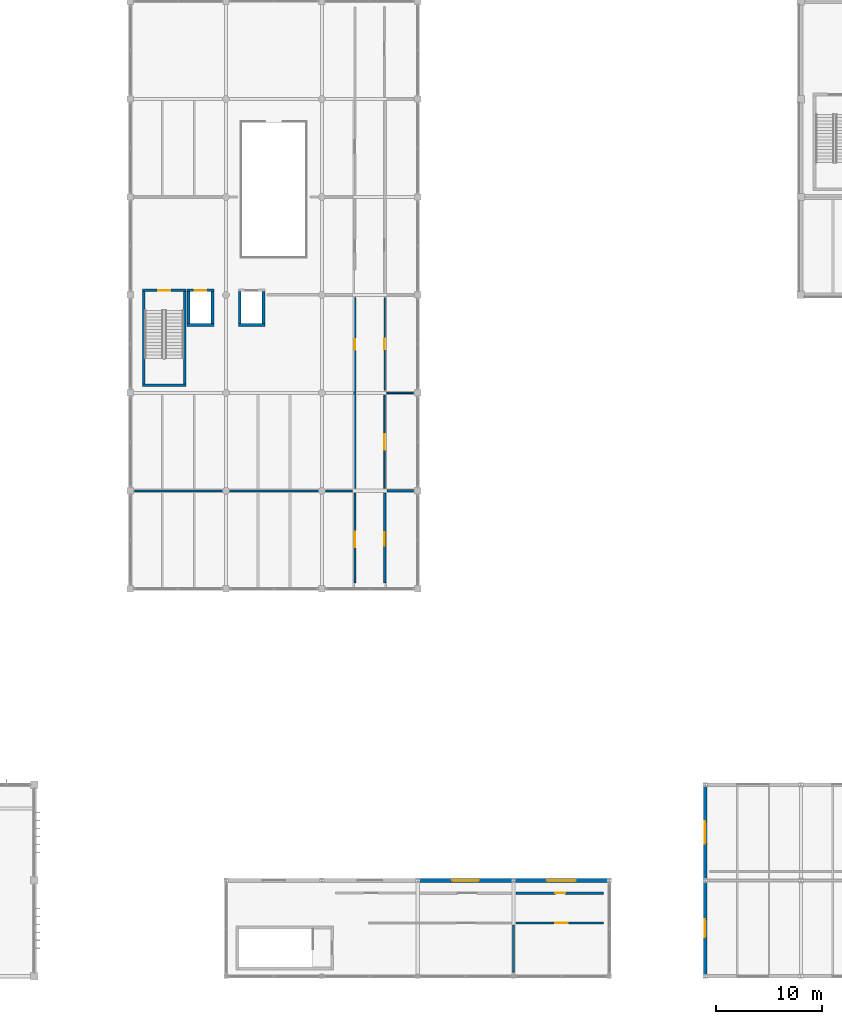
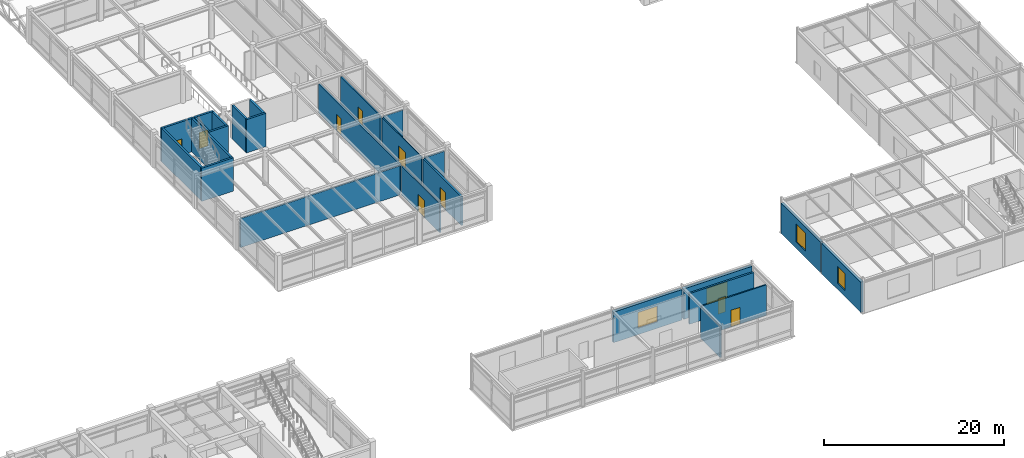
# One storey, part 47 of 61: 26 walls, 9 doors, 4 windows, 13 openings.
"""IFC4 building model written with IfcOpenShell, lengths in metres."""

import ifcopenshell
import ifcopenshell.guid

model = None  # the IFC model being written
_history = None  # IfcOwnerHistory: only IFC2X3 demands one
_inside = {}  # id of a spatial element -> (the spatial element, [elements in it])
_under = {}  # id of a project, library or spatial element -> (it, [spatial elements below it])
_declared = {}  # id of a project -> (the project, [libraries it declares])
_typed = {}  # id of a type object -> (the type object, [elements of that type])
_made_of = {}  # id of a material, layer set ... -> (it, [elements and type objects made of it])


def new_model(schema):
    """Start an empty IFC model of exactly this schema.

    Asked for "IFC4X3", IfcOpenShell would pick the latest addendum, in which some entities
    have other attributes; the version numbers below select the first issue.
    IFC2X3 requires an IfcOwnerHistory on every rooted entity: one is made here for all.
    """
    global model, _history
    if schema == "IFC4X3":
        model = ifcopenshell.file(schema_version=(4, 3, 0, 0))
    else:
        model = ifcopenshell.file(schema=schema)
    _inside.clear()
    _under.clear()
    _declared.clear()
    _typed.clear()
    _made_of.clear()
    _history = None
    if model.schema == "IFC2X3":
        org = make("IfcOrganization", Name="unknown")
        user = make(
            "IfcPersonAndOrganization",
            ThePerson=make("IfcPerson", FamilyName="unknown"),
            TheOrganization=org,
        )
        app = make(
            "IfcApplication",
            ApplicationDeveloper=org,
            Version="unknown",
            ApplicationFullName="unknown",
            ApplicationIdentifier="unknown",
        )
        _history = make(
            "IfcOwnerHistory",
            OwningUser=user,
            OwningApplication=app,
            ChangeAction="ADDED",
            CreationDate=0,
        )
    return model


def make(cls, **values):
    """One entity of the class cls with the attributes given. An attribute that is None is left unset."""
    return model.create_entity(
        cls, **{name: value for name, value in values.items() if value is not None}
    )


def rooted(cls, **values):
    """An entity with a GlobalId (a new one), such as an element, a storey or a relation."""
    return make(cls, GlobalId=ifcopenshell.guid.new(), OwnerHistory=_history, **values)


def si_unit(unit_type, name, prefix=None):
    """IfcSIUnit, for example si_unit("LENGTHUNIT", "METRE", prefix="MILLI")."""
    return make("IfcSIUnit", UnitType=unit_type, Prefix=prefix, Name=name)


def assignment(units):
    """IfcUnitAssignment: the units of a project."""
    return None if units is None else make("IfcUnitAssignment", Units=units)


def point(xyz):
    """IfcCartesianPoint."""
    return None if xyz is None else make("IfcCartesianPoint", Coordinates=xyz)


def direction(xyz):
    """IfcDirection."""
    return None if xyz is None else make("IfcDirection", DirectionRatios=xyz)


def frame(location, z_axis=None, x_axis=None):
    """IfcAxis2Placement3D, a coordinate frame: its origin and axes. An axis left out is left unset."""
    return make(
        "IfcAxis2Placement3D",
        Location=point(location),
        Axis=direction(z_axis),
        RefDirection=direction(x_axis),
    )


def frame_2d(location, x_axis=None):
    """IfcAxis2Placement2D, a coordinate frame in the plane: its origin and x axis."""
    return make(
        "IfcAxis2Placement2D", Location=point(location), RefDirection=direction(x_axis)
    )


def origin():
    """The frame at (0, 0, 0) with its axes left unset."""
    return frame((0.0, 0.0, 0.0))


def place(relative_to, where):
    """IfcLocalPlacement: puts the frame where relative to a parent placement (None: the world)."""
    return make(
        "IfcLocalPlacement", PlacementRelTo=relative_to, RelativePlacement=where
    )


def context(
    kind, dimensions, precision=None, world=None, true_north=None, identifier=None
):
    """IfcGeometricRepresentationContext, for example the 3D "Model" context."""
    return make(
        "IfcGeometricRepresentationContext",
        ContextIdentifier=identifier,
        ContextType=kind,
        CoordinateSpaceDimension=dimensions,
        Precision=precision,
        WorldCoordinateSystem=world,
        TrueNorth=true_north,
    )


def subcontext(parent, identifier, kind, view, scale=None):
    """IfcGeometricRepresentationSubContext, for example "Body" below "Model"."""
    return make(
        "IfcGeometricRepresentationSubContext",
        ContextIdentifier=identifier,
        ContextType=kind,
        ParentContext=parent,
        TargetScale=scale,
        TargetView=view,
    )


def project(units=None, contexts=None):
    """IfcProject with its units and contexts."""
    return rooted(
        "IfcProject",
        Name="project",
        RepresentationContexts=contexts,
        UnitsInContext=assignment(units),
    )


def spatial(cls, under=None, at=None, **own):
    """A site, building, storey or space (cls), placed at a placement, below another one or the project."""
    s = rooted(cls, ObjectPlacement=at, **own)
    if under is not None:
        _under.setdefault(under.id(), (under, []))[1].append(s)
    return s


def profile(cls, at=None, kind="AREA", **sizes):
    """A parametric profile (cls). Its sizes go by their IFC names, for example OverallWidth=200.0."""
    return make(cls, ProfileType=kind, Position=at, **sizes)


def rectangle(**sizes):
    """IfcRectangleProfileDef."""
    return profile("IfcRectangleProfileDef", **sizes)


def extrude(swept, where, along, depth):
    """IfcExtrudedAreaSolid: the profile swept, set in the frame where, extruded along a direction by depth."""
    return make(
        "IfcExtrudedAreaSolid",
        SweptArea=swept,
        Position=where,
        ExtrudedDirection=direction(along),
        Depth=depth,
    )


def shape(context_of_items, identifier, shape_type, items):
    """IfcShapeRepresentation: the items that make up one representation, for example the "Body"."""
    return make(
        "IfcShapeRepresentation",
        ContextOfItems=context_of_items,
        RepresentationIdentifier=identifier,
        RepresentationType=shape_type,
        Items=items,
    )


def material(Name=None, Category=None):
    """IfcMaterial."""
    return make("IfcMaterial", Name=Name, Category=Category)


def layer(
    of_material, thickness, ventilated=None, Name=None, Category=None, Priority=None
):
    """IfcMaterialLayer: one layer of a wall or slab, of a material (None: an air gap)."""
    return make(
        "IfcMaterialLayer",
        Material=of_material,
        LayerThickness=thickness,
        IsVentilated=ventilated,
        Name=Name,
        Category=Category,
        Priority=Priority,
    )


def layer_set(layers, Name=None):
    """IfcMaterialLayerSet."""
    return make("IfcMaterialLayerSet", MaterialLayers=layers, LayerSetName=Name)


def made_of(thing, what):
    """Note that an element or type object is made of a material, layer set ...; save() writes the relation."""
    if what is not None:
        _made_of.setdefault(what.id(), (what, []))[1].append(thing)
    return thing


def type_object(cls, material=None, **own):
    """A type object (cls), such as IfcWallType, which elements share."""
    return made_of(rooted(cls, **own), material)


def element(
    cls,
    number,
    at=None,
    inside=None,
    cuts=None,
    type_object=None,
    material=None,
    context=None,
    identifier="Body",
    shape_type=None,
    held_by="IfcProductDefinitionShape",
    body=None,
    shapes=None,
    **own,
):
    """One element of the class cls, such as IfcWall. Its Tag is "e" and its number.

    at: its placement. inside: the storey or other place that contains it. cuts: it is an
    opening in that element (IfcRelVoidsElement). A single representation is given by context,
    identifier, shape_type and body (its items); several are given by shapes. held_by: the class
    of the entity that holds the representations. save() writes the other relations.
    """
    e = rooted(cls, Tag="e%d" % number, ObjectPlacement=at, **own)
    if body is not None:
        shapes = [shape(context, identifier, shape_type, body)]
    if shapes is not None:
        e.Representation = make(held_by, Representations=shapes)
    if inside is not None:
        _inside.setdefault(inside.id(), (inside, []))[1].append(e)
    if cuts is not None:
        rooted(
            "IfcRelVoidsElement", RelatingBuildingElement=cuts, RelatedOpeningElement=e
        )
    if type_object is not None:
        _typed.setdefault(type_object.id(), (type_object, []))[1].append(e)
    return made_of(e, material)


def fill(opening, filler):
    """IfcRelFillsElement: the door or window that sits in an opening."""
    return rooted(
        "IfcRelFillsElement",
        RelatingOpeningElement=opening,
        RelatedBuildingElement=filler,
    )


def aggregate(whole, parts):
    """IfcRelAggregates: a whole, such as a stair, and the parts it consists of."""
    return rooted("IfcRelAggregates", RelatingObject=whole, RelatedObjects=parts)


def save(model, path):
    """Write the relations noted so far, then the file.

    IfcRelAggregates (storeys below a building ...), IfcRelContainedInSpatialStructure (elements
    in a storey), IfcRelDefinesByType, IfcRelAssociatesMaterial and IfcRelDeclares: one each for
    every whole, place, type object, material and project.
    """
    for whole, parts in _under.values():
        aggregate(whole, parts)
    for where, things in _inside.values():
        rooted(
            "IfcRelContainedInSpatialStructure",
            RelatedElements=things,
            RelatingStructure=where,
        )
    for kind, things in _typed.values():
        rooted("IfcRelDefinesByType", RelatedObjects=things, RelatingType=kind)
    for what, things in _made_of.values():
        rooted("IfcRelAssociatesMaterial", RelatedObjects=things, RelatingMaterial=what)
    for by, libraries in _declared.values():
        rooted("IfcRelDeclares", RelatingContext=by, RelatedDefinitions=libraries)
    model.write(path)


model = new_model("IFC4")

# Units and contexts
model_context = context("Model", 3, precision=1e-05, world=origin(), true_north=direction((0.0, 1.0)))
body_context = subcontext(model_context, "Body", "Model", "MODEL_VIEW")
ifc_project = project(units=[si_unit("LENGTHUNIT", "METRE"), si_unit("AREAUNIT", "SQUARE_METRE"), si_unit("VOLUMEUNIT", "CUBIC_METRE"), si_unit("PLANEANGLEUNIT", "RADIAN"), si_unit("MASSUNIT", "GRAM", prefix="KILO")], contexts=[model_context])

# Site, building, storey
site_placement = place(None, origin())
site = spatial("IfcSite", under=ifc_project, at=site_placement, CompositionType="ELEMENT")
building_placement = place(site_placement, origin())
building = spatial("IfcBuilding", under=site, at=building_placement, Name="Bozkorgan Art Gallery", CompositionType="ELEMENT")
storey_placement = place(building_placement, frame((0.0, 0.0, 10.199951171875)))
storey = spatial("IfcBuildingStorey", under=building, at=storey_placement, Name="L02", CompositionType="ELEMENT", Elevation=10.199951171875)

# Wall, opening, door
ifc_material_1 = material(Name="Concrete C40/50", Category="concrete")
ifc_layer_1 = layer(ifc_material_1, 0.25, Name="Concrete C40/50")
ifc_layer_set_1 = layer_set([ifc_layer_1], Name="Concrete C40/50")
wall_type_1 = type_object("IfcWallType", Name="IWALL-CW-51", PredefinedType="SHEAR", material=ifc_layer_set_1)
wall_1_placement = place(storey_placement, frame((75.14990234375, 66.425048828125, 0.0), z_axis=(0.0, 0.0, 1.0), x_axis=(1.0, 0.0, 0.0)))
wall_1 = element("IfcWall", 1, at=wall_1_placement, inside=storey, type_object=wall_type_1, Name="CORE2 L02 stair core north shear wall", PredefinedType="SHEAR", context=body_context, shape_type="SweptSolid", body=[
    extrude(rectangle(XDim=4.10009765625, YDim=0.25, at=frame_2d((2.050048828125, 0.0))), origin(), (0.0, 0.0, 1.0), 4.52001953125),
])
opening_1_placement = place(wall_1_placement, frame((2.625, 0.0, 0.0), z_axis=(0.0, 0.0, 1.0), x_axis=(-1.0, 0.0, 0.0)))
opening_1 = element("IfcOpeningElement", 2, at=opening_1_placement, cuts=wall_1, Name="Opening SD-41", PredefinedType="OPENING", context=body_context, shape_type="SweptSolid", body=[
    extrude(rectangle(XDim=1.14990234375, YDim=2.199951171875, at=frame_2d((0.574951171875, 1.10009765625))), frame((0.0, 0.135009765625, 0.0), z_axis=(0.0, -1.0, 0.0), x_axis=(1.0, 0.0, 0.0)), (0.0, 0.0, 1.0), 0.27001953125),
])
ifc_material_2 = material(Name="Steel S355J2", Category="steel")
door_type_1 = type_object("IfcDoorType", Name="IDOOR-SD-41", OperationType="NOTDEFINED", PredefinedType="DOOR", material=ifc_material_2)
door_1_placement = place(opening_1_placement, origin())
door_1 = element("IfcDoor", 3, at=door_1_placement, inside=storey, type_object=door_type_1, Name="ST2 L02 Fire Stair Door", OperationType="SINGLE_SWING_RIGHT", OverallHeight=2.199951171875, OverallWidth=1.14990234375, PredefinedType="DOOR", context=body_context, shape_type="SweptSolid", body=[
    extrude(rectangle(XDim=1.14990234375, YDim=2.199951171875, at=frame_2d((0.574951171875, 1.10009765625))), frame((0.0, 0.02490234375, 0.0), z_axis=(0.0, -1.0, 0.0), x_axis=(1.0, 0.0, 0.0)), (0.0, 0.0, 1.0), 0.050048828125),
])
fill(opening_1, door_1)

# Walls
wall_2_placement = place(storey_placement, frame((75.14990234375, 57.52490234375, 0.0), z_axis=(0.0, 0.0, 1.0), x_axis=(1.0, 0.0, 0.0)))
element("IfcWall", 4, at=wall_2_placement, inside=storey, type_object=wall_type_1, Name="CORE2 L02 stair core S shear wall", PredefinedType="SHEAR", context=body_context, shape_type="SweptSolid", body=[
    extrude(rectangle(XDim=4.10009765625, YDim=0.25, at=frame_2d((2.050048828125, 0.0))), origin(), (0.0, 0.0, 1.0), 4.52001953125),
])
for number, where, z_axis, x_axis, name in (
    (5, (75.27490234375, 57.64990234375, 0.0), (0.0, 0.0, 1.0), (0.0, 1.0, 0.0), "CORE2 L02 stair core W shear wall"),
    (6, (79.125, 57.64990234375, 0.0), (0.0, 0.0, 1.0), (0.0, 1.0, 0.0), "CORE2 L02 stair core E shear wall"),
):
    element("IfcWall", number, at=place(storey_placement, frame(where, z_axis=z_axis, x_axis=x_axis)), inside=storey, type_object=wall_type_1, Name=name, PredefinedType="SHEAR", context=body_context, shape_type="SweptSolid", body=[
        extrude(rectangle(XDim=8.650146484375, YDim=0.25, at=frame_2d((4.3251953125, 0.0))), origin(), (0.0, 0.0, 1.0), 4.52001953125),
    ])

# Wall, opening, door
wall_3_placement = place(storey_placement, frame((79.35009765625, 66.425048828125, 0.0), z_axis=(0.0, 0.0, 1.0), x_axis=(1.0, 0.0, 0.0)))
wall_3 = element("IfcWall", 7, at=wall_3_placement, inside=storey, type_object=wall_type_1, Name="PL2 L02 shaft front shear wall", PredefinedType="SHEAR", context=body_context, shape_type="SweptSolid", body=[
    extrude(rectangle(XDim=2.5, YDim=0.25, at=frame_2d((1.25, 0.0))), origin(), (0.0, 0.0, 1.0), 4.52001953125),
])
opening_2_placement = place(wall_3_placement, frame((0.699951171875, 0.0, 0.0)))
opening_2 = element("IfcOpeningElement", 8, at=opening_2_placement, cuts=wall_3, Name="Opening LD-25", PredefinedType="OPENING", context=body_context, shape_type="SweptSolid", body=[
    extrude(rectangle(XDim=1.10009765625, YDim=2.199951171875, at=frame_2d((0.550048828125, 1.10009765625))), frame((0.0, 0.135009765625, 0.0), z_axis=(0.0, -1.0, 0.0), x_axis=(1.0, 0.0, 0.0)), (0.0, 0.0, 1.0), 0.27001953125),
])
door_type_2 = type_object("IfcDoorType", Name="IDOOR-LD-25", OperationType="NOTDEFINED", PredefinedType="DOOR", material=ifc_material_2)
door_2_placement = place(opening_2_placement, origin())
door_2 = element("IfcDoor", 9, at=door_2_placement, inside=storey, type_object=door_type_2, Name="LD-PL2-L02 Lift Landing Door", OperationType="SLIDING_TO_LEFT", OverallHeight=2.199951171875, OverallWidth=1.10009765625, PredefinedType="DOOR", context=body_context, shape_type="SweptSolid", body=[
    extrude(rectangle(XDim=1.10009765625, YDim=2.199951171875, at=frame_2d((0.550048828125, 1.10009765625))), frame((0.0, 0.02490234375, 0.0), z_axis=(0.0, -1.0, 0.0), x_axis=(1.0, 0.0, 0.0)), (0.0, 0.0, 1.0), 0.050048828125),
])
fill(opening_2, door_2)

# Walls
wall_4_placement = place(storey_placement, frame((79.35009765625, 63.175048828125, 0.0), z_axis=(0.0, 0.0, 1.0), x_axis=(1.0, 0.0, 0.0)))
element("IfcWall", 10, at=wall_4_placement, inside=storey, type_object=wall_type_1, Name="PL2 L02 shaft S shear wall", PredefinedType="SHEAR", context=body_context, shape_type="SweptSolid", body=[
    extrude(rectangle(XDim=2.5, YDim=0.25, at=frame_2d((1.25, 0.0))), origin(), (0.0, 0.0, 1.0), 4.52001953125),
])
for number, where, z_axis, x_axis, name in (
    (11, (81.72509765625, 63.300048828125, 0.0), (0.0, 0.0, 1.0), (0.0, 1.0, 0.0), "PL2 L02 shaft E shear wall"),
    (12, (79.47509765625, 63.300048828125, 0.0), (0.0, 0.0, 1.0), (0.0, 1.0, 0.0), "PL2 L02 shaft W shear wall"),
):
    element("IfcWall", number, at=place(storey_placement, frame(where, z_axis=z_axis, x_axis=x_axis)), inside=storey, type_object=wall_type_1, Name=name, PredefinedType="SHEAR", context=body_context, shape_type="SweptSolid", body=[
        extrude(rectangle(XDim=3.0, YDim=0.25, at=frame_2d((1.5, 0.0))), origin(), (0.0, 0.0, 1.0), 4.52001953125),
    ])
wall_5_placement = place(storey_placement, frame((84.14990234375, 63.175048828125, 0.0), z_axis=(0.0, 0.0, 1.0), x_axis=(1.0, 0.0, 0.0)))
element("IfcWall", 13, at=wall_5_placement, inside=storey, type_object=wall_type_1, Name="PL3 L02 shaft S shear wall", PredefinedType="SHEAR", context=body_context, shape_type="SweptSolid", body=[
    extrude(rectangle(XDim=2.5, YDim=0.25, at=frame_2d((1.25, 0.0))), origin(), (0.0, 0.0, 1.0), 4.52001953125),
])
for number, where, z_axis, x_axis, name in (
    (14, (86.52490234375, 63.300048828125, 0.0), (0.0, 0.0, 1.0), (0.0, 1.0, 0.0), "PL3 L02 shaft E shear wall"),
    (15, (84.27490234375, 63.300048828125, 0.0), (0.0, 0.0, 1.0), (0.0, 1.0, 0.0), "PL3 L02 shaft W shear wall"),
):
    element("IfcWall", number, at=place(storey_placement, frame(where, z_axis=z_axis, x_axis=x_axis)), inside=storey, type_object=wall_type_1, Name=name, PredefinedType="SHEAR", context=body_context, shape_type="SweptSolid", body=[
        extrude(rectangle(XDim=3.0, YDim=0.25, at=frame_2d((1.5, 0.0))), origin(), (0.0, 0.0, 1.0), 4.52001953125),
    ])

# Wall, opening, door
ifc_material_3 = material(Name="Acoustic Gypsum & Mineral Wool Partition")
ifc_layer_2 = layer(ifc_material_3, 0.22998046875, Name="Acoustic Gypsum & Mineral Wool Partition")
ifc_layer_set_2 = layer_set([ifc_layer_2], Name="Acoustic Gypsum & Mineral Wool Partition")
wall_type_2 = type_object("IfcWallType", Name="IWALL-PR-08", PredefinedType="PARTITIONING", material=ifc_layer_set_2)
wall_6_placement = place(storey_placement, frame((110.219970703125, 9.800048828125, 0.0), z_axis=(0.0, 0.0, 1.0), x_axis=(1.0, 0.0, 0.0)))
wall_6 = element("IfcWall", 16, at=wall_6_placement, inside=storey, type_object=wall_type_2, Name="V3 L02 acoustic partition wall 179", PredefinedType="PARTITIONING", context=body_context, shape_type="SweptSolid", body=[
    extrude(rectangle(XDim=8.239990234375, YDim=0.22998046875, at=frame_2d((4.1201171875, 0.0))), origin(), (0.0, 0.0, 1.0), 4.155029296875),
])
opening_3_placement = place(wall_6_placement, frame((4.640625, 0.0, 0.0), z_axis=(0.0, 0.0, 1.0), x_axis=(-1.0, 0.0, 0.0)))
opening_3 = element("IfcOpeningElement", 17, at=opening_3_placement, cuts=wall_6, Name="Opening FD-12", PredefinedType="OPENING", context=body_context, shape_type="SweptSolid", body=[
    extrude(rectangle(XDim=0.919921875, YDim=2.1201171875, at=frame_2d((0.4599609375, 1.06005859375))), frame((0.0, 0.125, 0.0), z_axis=(0.0, -1.0, 0.0), x_axis=(1.0, 0.0, 0.0)), (0.0, 0.0, 1.0), 0.25),
])
ifc_material_4 = material(Name="Oiled European Oak Joinery")
door_type_3 = type_object("IfcDoorType", Name="IDOOR-FD-12", OperationType="NOTDEFINED", PredefinedType="DOOR", material=ifc_material_4)
door_3_placement = place(opening_3_placement, origin())
door_3 = element("IfcDoor", 18, at=door_3_placement, inside=storey, type_object=door_type_3, Name="AV Equipment Store Door", OperationType="SINGLE_SWING_RIGHT", OverallHeight=2.1201171875, OverallWidth=0.919921875, PredefinedType="DOOR", context=body_context, shape_type="SweptSolid", body=[
    extrude(rectangle(XDim=0.919921875, YDim=2.1201171875, at=frame_2d((0.4599609375, 1.06005859375))), frame((0.0, 0.02490234375, 0.0), z_axis=(0.0, -1.0, 0.0), x_axis=(1.0, 0.0, 0.0)), (0.0, 0.0, 1.0), 0.050048828125),
])
fill(opening_3, door_3)

ifc_layer_3 = layer(ifc_material_3, 0.2099609375, Name="Acoustic Gypsum & Mineral Wool Partition")
ifc_layer_set_3 = layer_set([ifc_layer_3], Name="Acoustic Gypsum & Mineral Wool Partition")
wall_type_3 = type_object("IfcWallType", Name="IWALL-PR-38", PredefinedType="PARTITIONING", material=ifc_layer_set_3)
wall_7_placement = place(storey_placement, frame((95.10009765625, 47.820068359375, 0.0), z_axis=(0.0, 0.0, 1.0), x_axis=(0.0, 1.0, 0.0)))
wall_7 = element("IfcWall", 19, at=wall_7_placement, inside=storey, type_object=wall_type_3, Name="V4 L02 acoustic partition wall 232", PredefinedType="PARTITIONING", context=body_context, shape_type="SweptSolid", body=[
    extrude(rectangle(XDim=17.9599609375, YDim=0.2099609375, at=frame_2d((8.97998046875, 0.0))), origin(), (0.0, 0.0, 1.0), 3.925048828125),
])
opening_4_placement = place(wall_7_placement, frame((14.0244140625, 0.0, 0.0), z_axis=(0.0, 0.0, 1.0), x_axis=(-1.0, 0.0, 0.0)))
opening_4 = element("IfcOpeningElement", 20, at=opening_4_placement, cuts=wall_7, Name="Opening FD-60", PredefinedType="OPENING", context=body_context, shape_type="SweptSolid", body=[
    extrude(rectangle(XDim=1.0, YDim=2.199951171875, at=frame_2d((0.5, 1.10009765625))), frame((0.0, 0.114990234375, 0.0), z_axis=(0.0, -1.0, 0.0), x_axis=(1.0, 0.0, 0.0)), (0.0, 0.0, 1.0), 0.22998046875),
])
door_type_4 = type_object("IfcDoorType", Name="IDOOR-FD-60", OperationType="NOTDEFINED", PredefinedType="DOOR", material=ifc_material_4)
door_4_placement = place(opening_4_placement, origin())
door_4 = element("IfcDoor", 21, at=door_4_placement, inside=storey, type_object=door_type_4, Name="Light Installation Atrium Door", OperationType="SINGLE_SWING_RIGHT", OverallHeight=2.199951171875, OverallWidth=1.0, PredefinedType="DOOR", context=body_context, shape_type="SweptSolid", body=[
    extrude(rectangle(XDim=1.0, YDim=2.199951171875, at=frame_2d((0.5, 1.10009765625))), frame((0.0, 0.02490234375, 0.0), z_axis=(0.0, -1.0, 0.0), x_axis=(1.0, 0.0, 0.0)), (0.0, 0.0, 1.0), 0.050048828125),
])
fill(opening_4, door_4)

wall_8_placement = place(storey_placement, frame((97.89990234375, 38.93994140625, 0.0), z_axis=(0.0, 0.0, 1.0), x_axis=(0.0, 1.0, 0.0)))
wall_8 = element("IfcWall", 22, at=wall_8_placement, inside=storey, type_object=wall_type_3, Name="V4 L02 acoustic partition wall 238", PredefinedType="PARTITIONING", context=body_context, shape_type="SweptSolid", body=[
    extrude(rectangle(XDim=8.43994140625, YDim=0.2099609375, at=frame_2d((4.219970703125, 0.0))), origin(), (0.0, 0.0, 1.0), 3.925048828125),
])
opening_5_placement = place(wall_8_placement, frame((3.518798828125, 0.0, 0.0)))
opening_5 = element("IfcOpeningElement", 23, at=opening_5_placement, cuts=wall_8, Name="Opening FD-40", PredefinedType="OPENING", context=body_context, shape_type="SweptSolid", body=[
    extrude(rectangle(XDim=1.239990234375, YDim=2.320068359375, at=frame_2d((0.6201171875, 1.16015625))), frame((0.0, 0.114990234375, 0.0), z_axis=(0.0, -1.0, 0.0), x_axis=(1.0, 0.0, 0.0)), (0.0, 0.0, 1.0), 0.22998046875),
])
door_type_5 = type_object("IfcDoorType", Name="IDOOR-FD-40", OperationType="NOTDEFINED", PredefinedType="DOOR", material=ifc_material_4)
door_5_placement = place(opening_5_placement, origin())
door_5 = element("IfcDoor", 24, at=door_5_placement, inside=storey, type_object=door_type_5, Name="Collection Archive Room Door", OperationType="SINGLE_SWING_LEFT", OverallHeight=2.320068359375, OverallWidth=1.239990234375, PredefinedType="DOOR", context=body_context, shape_type="SweptSolid", body=[
    extrude(rectangle(XDim=1.239990234375, YDim=2.320068359375, at=frame_2d((0.6201171875, 1.16015625))), frame((0.0, 0.02490234375, 0.0), z_axis=(0.0, -1.0, 0.0), x_axis=(1.0, 0.0, 0.0)), (0.0, 0.0, 1.0), 0.050048828125),
])
fill(opening_5, door_5)

ifc_layer_4 = layer(ifc_material_3, 0.169921875, Name="Acoustic Gypsum & Mineral Wool Partition")
ifc_layer_set_4 = layer_set([ifc_layer_4], Name="Acoustic Gypsum & Mineral Wool Partition")
wall_type_4 = type_object("IfcWallType", Name="IWALL-PR-40", PredefinedType="PARTITIONING", material=ifc_layer_set_4)
wall_9_placement = place(storey_placement, frame((110.219970703125, 7.0, 0.0), z_axis=(0.0, 0.0, 1.0), x_axis=(1.0, 0.0, 0.0)))
wall_9 = element("IfcWall", 25, at=wall_9_placement, inside=storey, type_object=wall_type_4, Name="V3 L02 acoustic partition wall 176", PredefinedType="PARTITIONING", context=body_context, shape_type="SweptSolid", body=[
    extrude(rectangle(XDim=8.239990234375, YDim=0.169921875, at=frame_2d((4.1201171875, 0.0))), origin(), (0.0, 0.0, 1.0), 4.155029296875),
])
opening_6_placement = place(wall_9_placement, frame((3.720703125, 0.0, 0.0)))
opening_6 = element("IfcOpeningElement", 26, at=opening_6_placement, cuts=wall_9, Name="Opening FD-03", PredefinedType="OPENING", context=body_context, shape_type="SweptSolid", body=[
    extrude(rectangle(XDim=1.159912109375, YDim=2.280029296875, at=frame_2d((0.580078125, 1.14013671875))), frame((0.0, 0.094970703125, 0.0), z_axis=(0.0, -1.0, 0.0), x_axis=(1.0, 0.0, 0.0)), (0.0, 0.0, 1.0), 0.18994140625),
])
door_type_6 = type_object("IfcDoorType", Name="IDOOR-FD-03", OperationType="NOTDEFINED", PredefinedType="DOOR", material=ifc_material_4)
door_6_placement = place(opening_6_placement, origin())
door_6 = element("IfcDoor", 27, at=door_6_placement, inside=storey, type_object=door_type_6, Name="Film Screening Cinema Door", OperationType="SINGLE_SWING_LEFT", OverallHeight=2.280029296875, OverallWidth=1.159912109375, PredefinedType="DOOR", context=body_context, shape_type="SweptSolid", body=[
    extrude(rectangle(XDim=1.159912109375, YDim=2.280029296875, at=frame_2d((0.580078125, 1.14013671875))), frame((0.0, 0.02490234375, 0.0), z_axis=(0.0, -1.0, 0.0), x_axis=(1.0, 0.0, 0.0)), (0.0, 0.0, 1.0), 0.050048828125),
])
fill(opening_6, door_6)

wall_10_placement = place(storey_placement, frame((95.10009765625, 38.93994140625, 0.0), z_axis=(0.0, 0.0, 1.0), x_axis=(0.0, 1.0, 0.0)))
wall_10 = element("IfcWall", 28, at=wall_10_placement, inside=storey, type_object=wall_type_4, Name="V4 L02 acoustic partition wall 230", PredefinedType="PARTITIONING", context=body_context, shape_type="SweptSolid", body=[
    extrude(rectangle(XDim=8.43994140625, YDim=0.169921875, at=frame_2d((4.219970703125, 0.0))), origin(), (0.0, 0.0, 1.0), 3.925048828125),
])
opening_7_placement = place(wall_10_placement, frame((4.82763671875, 0.0, 0.0), z_axis=(0.0, 0.0, 1.0), x_axis=(-1.0, 0.0, 0.0)))
opening_7 = element("IfcOpeningElement", 29, at=opening_7_placement, cuts=wall_10, Name="Opening GD-47", PredefinedType="OPENING", context=body_context, shape_type="SweptSolid", body=[
    extrude(rectangle(XDim=1.4599609375, YDim=2.320068359375, at=frame_2d((0.72998046875, 1.16015625))), frame((0.0, 0.094970703125, 0.0), z_axis=(0.0, -1.0, 0.0), x_axis=(1.0, 0.0, 0.0)), (0.0, 0.0, 1.0), 0.18994140625),
])
door_type_7 = type_object("IfcDoorType", Name="IDOOR-GD-47", OperationType="NOTDEFINED", PredefinedType="DOOR", material=ifc_material_4)
door_7_placement = place(opening_7_placement, origin())
door_7 = element("IfcDoor", 30, at=door_7_placement, inside=storey, type_object=door_type_7, Name="Panoramic Bridge Gallery Door", OperationType="DOUBLE_DOOR_SINGLE_SWING", OverallHeight=2.320068359375, OverallWidth=1.4599609375, PredefinedType="DOOR", context=body_context, shape_type="SweptSolid", body=[
    extrude(rectangle(XDim=1.4599609375, YDim=2.320068359375, at=frame_2d((0.72998046875, 1.16015625))), frame((0.0, 0.02490234375, 0.0), z_axis=(0.0, -1.0, 0.0), x_axis=(1.0, 0.0, 0.0)), (0.0, 0.0, 1.0), 0.050048828125),
])
fill(opening_7, door_7)

wall_11_placement = place(storey_placement, frame((97.89990234375, 57.02001953125, 0.0), z_axis=(0.0, 0.0, 1.0), x_axis=(0.0, 1.0, 0.0)))
wall_11 = element("IfcWall", 31, at=wall_11_placement, inside=storey, type_object=wall_type_4, Name="V4 L02 acoustic partition wall 242", PredefinedType="PARTITIONING", context=body_context, shape_type="SweptSolid", body=[
    extrude(rectangle(XDim=8.760009765625, YDim=0.169921875, at=frame_2d((4.3798828125, 0.0))), origin(), (0.0, 0.0, 1.0), 3.925048828125),
])
opening_8_placement = place(wall_11_placement, frame((3.8798828125, 0.0, 0.0)))
opening_8 = element("IfcOpeningElement", 32, at=opening_8_placement, cuts=wall_11, Name="Opening FD-60", PredefinedType="OPENING", context=body_context, shape_type="SweptSolid", body=[
    extrude(rectangle(XDim=1.0, YDim=2.199951171875, at=frame_2d((0.5, 1.10009765625))), frame((0.0, 0.094970703125, 0.0), z_axis=(0.0, -1.0, 0.0), x_axis=(1.0, 0.0, 0.0)), (0.0, 0.0, 1.0), 0.18994140625),
])
door_8_placement = place(opening_8_placement, origin())
door_8 = element("IfcDoor", 33, at=door_8_placement, inside=storey, type_object=door_type_4, Name="Light Installation Atrium Door", OperationType="SINGLE_SWING_LEFT", OverallHeight=2.199951171875, OverallWidth=1.0, PredefinedType="DOOR", context=body_context, shape_type="SweptSolid", body=[
    extrude(rectangle(XDim=1.0, YDim=2.199951171875, at=frame_2d((0.5, 1.10009765625))), frame((0.0, 0.02490234375, 0.0), z_axis=(0.0, -1.0, 0.0), x_axis=(1.0, 0.0, 0.0)), (0.0, 0.0, 1.0), 0.050048828125),
])
fill(opening_8, door_8)

ifc_layer_5 = layer(ifc_material_3, 0.1298828125, Name="Acoustic Gypsum & Mineral Wool Partition")
ifc_layer_set_5 = layer_set([ifc_layer_5], Name="Acoustic Gypsum & Mineral Wool Partition")
wall_type_5 = type_object("IfcWallType", Name="IWALL-PR-76", PredefinedType="PARTITIONING", material=ifc_layer_set_5)
wall_12_placement = place(storey_placement, frame((97.89990234375, 47.820068359375, 0.0), z_axis=(0.0, 0.0, 1.0), x_axis=(0.0, 1.0, 0.0)))
wall_12 = element("IfcWall", 34, at=wall_12_placement, inside=storey, type_object=wall_type_5, Name="V4 L02 acoustic partition wall 240", PredefinedType="PARTITIONING", context=body_context, shape_type="SweptSolid", body=[
    extrude(rectangle(XDim=8.760009765625, YDim=0.1298828125, at=frame_2d((4.3798828125, 0.0))), origin(), (0.0, 0.0, 1.0), 3.925048828125),
])
opening_9_placement = place(wall_12_placement, frame((3.6298828125, 0.0, 0.0)))
opening_9 = element("IfcOpeningElement", 35, at=opening_9_placement, cuts=wall_12, Name="Opening GD-47", PredefinedType="OPENING", context=body_context, shape_type="SweptSolid", body=[
    extrude(rectangle(XDim=1.4599609375, YDim=2.320068359375, at=frame_2d((0.72998046875, 1.16015625))), frame((0.0, 0.074951171875, 0.0), z_axis=(0.0, -1.0, 0.0), x_axis=(1.0, 0.0, 0.0)), (0.0, 0.0, 1.0), 0.14990234375),
])
door_9_placement = place(opening_9_placement, origin())
door_9 = element("IfcDoor", 36, at=door_9_placement, inside=storey, type_object=door_type_7, Name="Panoramic Bridge Gallery Door", OperationType="DOUBLE_DOOR_SINGLE_SWING", OverallHeight=2.320068359375, OverallWidth=1.4599609375, PredefinedType="DOOR", context=body_context, shape_type="SweptSolid", body=[
    extrude(rectangle(XDim=1.4599609375, YDim=2.320068359375, at=frame_2d((0.72998046875, 1.16015625))), frame((0.0, 0.02490234375, 0.0), z_axis=(0.0, -1.0, 0.0), x_axis=(1.0, 0.0, 0.0)), (0.0, 0.0, 1.0), 0.050048828125),
])
fill(opening_9, door_9)

# Walls
ifc_layer_6 = layer(ifc_material_3, 0.14990234375, Name="Acoustic Gypsum & Mineral Wool Partition")
ifc_layer_set_6 = layer_set([ifc_layer_6], Name="Acoustic Gypsum & Mineral Wool Partition")
wall_type_6 = type_object("IfcWallType", Name="IWALL-PW-17", PredefinedType="PARTITIONING", material=ifc_layer_set_6)
wall_13_placement = place(storey_placement, frame((110.0, 2.39990234375, 0.0), z_axis=(0.0, 0.0, 1.0), x_axis=(0.0, 1.0, 0.0)))
element("IfcWall", 37, at=wall_13_placement, inside=storey, type_object=wall_type_6, Name="V3 L02 acoustic partition wall 175", PredefinedType="PARTITIONING", context=body_context, shape_type="SweptSolid", body=[
    extrude(rectangle(XDim=4.400146484375, YDim=0.14990234375, at=frame_2d((2.2001953125, 0.0))), origin(), (0.0, 0.0, 1.0), 4.155029296875),
])
wall_14_placement = place(storey_placement, frame((98.10009765625, 56.800048828125, 0.0), z_axis=(0.0, 0.0, 1.0), x_axis=(1.0, 0.0, 0.0)))
element("IfcWall", 38, at=wall_14_placement, inside=storey, type_object=wall_type_6, Name="V4 L02 acoustic partition wall 241", PredefinedType="PARTITIONING", context=body_context, shape_type="SweptSolid", body=[
    extrude(rectangle(XDim=2.5, YDim=0.14990234375, at=frame_2d((1.25, 0.0))), origin(), (0.0, 0.0, 1.0), 3.925048828125),
])
ifc_layer_7 = layer(ifc_material_3, 0.18994140625, Name="Acoustic Gypsum & Mineral Wool Partition")
ifc_layer_set_7 = layer_set([ifc_layer_7], Name="Acoustic Gypsum & Mineral Wool Partition")
wall_type_7 = type_object("IfcWallType", Name="IWALL-PW-23", PredefinedType="PARTITIONING", material=ifc_layer_set_7)
wall_15_placement = place(storey_placement, frame((74.39990234375, 47.60009765625, 0.0), z_axis=(0.0, 0.0, 1.0), x_axis=(1.0, 0.0, 0.0)))
element("IfcWall", 39, at=wall_15_placement, inside=storey, type_object=wall_type_7, Name="V4 L02 acoustic partition wall 231", PredefinedType="PARTITIONING", context=body_context, shape_type="SweptSolid", body=[
    extrude(rectangle(XDim=20.5, YDim=0.18994140625, at=frame_2d((10.25, 0.0))), origin(), (0.0, 0.0, 1.0), 3.925048828125),
])
ifc_layer_8 = layer(ifc_material_3, 0.22998046875, Name="Acoustic Gypsum & Mineral Wool Partition")
ifc_layer_set_8 = layer_set([ifc_layer_8], Name="Acoustic Gypsum & Mineral Wool Partition")
wall_type_8 = type_object("IfcWallType", Name="IWALL-PW-96", PredefinedType="PARTITIONING", material=ifc_layer_set_8)
wall_16_placement = place(storey_placement, frame((98.10009765625, 47.60009765625, 0.0), z_axis=(0.0, 0.0, 1.0), x_axis=(1.0, 0.0, 0.0)))
element("IfcWall", 40, at=wall_16_placement, inside=storey, type_object=wall_type_8, Name="V4 L02 acoustic partition wall 239", PredefinedType="PARTITIONING", context=body_context, shape_type="SweptSolid", body=[
    extrude(rectangle(XDim=2.5, YDim=0.22998046875, at=frame_2d((1.25, 0.0))), origin(), (0.0, 0.0, 1.0), 3.925048828125),
])

# Wall, opening, window
ifc_material_5 = material(Name="Pressed Terracotta Brick Masonry", Category="masonry")
ifc_layer_9 = layer(ifc_material_5, 0.3798828125, Name="Pressed Terracotta Brick Masonry")
ifc_layer_set_9 = layer_set([ifc_layer_9], Name="Pressed Terracotta Brick Masonry")
wall_type_9 = type_object("IfcWallType", Name="WALL-WB-15", PredefinedType="STANDARD", material=ifc_layer_set_9)
wall_17_placement = place(storey_placement, frame((101.1298828125, 11.0, 0.0), z_axis=(0.0, 0.0, 1.0), x_axis=(1.0, 0.0, 0.0)))
wall_17 = element("IfcWall", 41, at=wall_17_placement, inside=storey, type_object=wall_type_9, Name="V3 L02 exterior facade wall 1N-6", PredefinedType="STANDARD", context=body_context, shape_type="SweptSolid", body=[
    extrude(rectangle(XDim=8.740234375, YDim=0.3798828125, at=frame_2d((4.3701171875, 0.0))), origin(), (0.0, 0.0, 1.0), 4.155029296875),
])
opening_10_placement = place(wall_17_placement, frame((3.1201171875, 0.0, 0.85009765625)))
opening_10 = element("IfcOpeningElement", 42, at=opening_10_placement, cuts=wall_17, Name="Opening WN-55", PredefinedType="OPENING", context=body_context, shape_type="SweptSolid", body=[
    extrude(rectangle(XDim=2.5, YDim=2.14990234375, at=frame_2d((1.25, 1.074951171875))), frame((0.0, 0.199951171875, 0.0), z_axis=(0.0, -1.0, 0.0), x_axis=(1.0, 0.0, 0.0)), (0.0, 0.0, 1.0), 0.39990234375),
])
ifc_material_6 = material(Name="Triple Low-E Laminated Glass", Category="glass")
window_type_1 = type_object("IfcWindowType", Name="WIN-WN-55", PartitioningType="SINGLE_PANEL", PredefinedType="WINDOW", material=ifc_material_6)
window_1_placement = place(opening_10_placement, origin())
window_1 = element("IfcWindow", 43, at=window_1_placement, inside=storey, type_object=window_type_1, Name="V3 L02 gallery window 1N-6", OverallHeight=2.14990234375, OverallWidth=2.5, PartitioningType="SINGLE_PANEL", PredefinedType="WINDOW", context=body_context, shape_type="SweptSolid", body=[
    extrude(rectangle(XDim=2.5, YDim=2.14990234375, at=frame_2d((1.25, 1.074951171875))), frame((0.0, 0.030029296875, 0.0), z_axis=(0.0, -1.0, 0.0), x_axis=(1.0, 0.0, 0.0)), (0.0, 0.0, 1.0), 0.06005859375),
])
fill(opening_10, window_1)

wall_18_placement = place(storey_placement, frame((110.1298828125, 11.0, 0.0), z_axis=(0.0, 0.0, 1.0), x_axis=(1.0, 0.0, 0.0)))
wall_18 = element("IfcWall", 44, at=wall_18_placement, inside=storey, type_object=wall_type_9, Name="V3 L02 exterior facade wall 1N-8", PredefinedType="STANDARD", context=body_context, shape_type="SweptSolid", body=[
    extrude(rectangle(XDim=8.740234375, YDim=0.3798828125, at=frame_2d((4.3701171875, 0.0))), origin(), (0.0, 0.0, 1.0), 4.155029296875),
])
opening_11_placement = place(wall_18_placement, frame((3.02001953125, 0.0, 0.85009765625)))
opening_11 = element("IfcOpeningElement", 45, at=opening_11_placement, cuts=wall_18, Name="Opening WN-57", PredefinedType="OPENING", context=body_context, shape_type="SweptSolid", body=[
    extrude(rectangle(XDim=2.699951171875, YDim=2.199951171875, at=frame_2d((1.35009765625, 1.10009765625))), frame((0.0, 0.199951171875, 0.0), z_axis=(0.0, -1.0, 0.0), x_axis=(1.0, 0.0, 0.0)), (0.0, 0.0, 1.0), 0.39990234375),
])
window_type_2 = type_object("IfcWindowType", Name="WIN-WN-57", PartitioningType="SINGLE_PANEL", PredefinedType="WINDOW", material=ifc_material_6)
window_2_placement = place(opening_11_placement, origin())
window_2 = element("IfcWindow", 46, at=window_2_placement, inside=storey, type_object=window_type_2, Name="V3 L02 gallery window 1N-8", OverallHeight=2.199951171875, OverallWidth=2.699951171875, PartitioningType="SINGLE_PANEL", PredefinedType="WINDOW", context=body_context, shape_type="SweptSolid", body=[
    extrude(rectangle(XDim=2.699951171875, YDim=2.199951171875, at=frame_2d((1.35009765625, 1.10009765625))), frame((0.0, 0.030029296875, 0.0), z_axis=(0.0, -1.0, 0.0), x_axis=(1.0, 0.0, 0.0)), (0.0, 0.0, 1.0), 0.06005859375),
])
fill(opening_11, window_2)

ifc_layer_10 = layer(ifc_material_5, 0.340087890625, Name="Pressed Terracotta Brick Masonry")
ifc_layer_set_10 = layer_set([ifc_layer_10], Name="Pressed Terracotta Brick Masonry")
wall_type_10 = type_object("IfcWallType", Name="WALL-WB-71", PredefinedType="STANDARD", material=ifc_layer_set_10)
wall_19_placement = place(storey_placement, frame((128.0, 2.139892578125, 0.0), z_axis=(0.0, 0.0, 1.0), x_axis=(0.0, 1.0, 0.0)))
wall_19 = element("IfcWall", 47, at=wall_19_placement, inside=storey, type_object=wall_type_10, Name="V6 L02 exterior facade wall 1W-7", PredefinedType="STANDARD", context=body_context, shape_type="SweptSolid", body=[
    extrude(rectangle(XDim=8.72021484375, YDim=0.340087890625, at=frame_2d((4.360107421875, 0.0))), origin(), (0.0, 0.0, 1.0), 4.114990234375),
])
opening_12_placement = place(wall_19_placement, frame((3.510009765625, 0.0, 0.85009765625)))
opening_12 = element("IfcOpeningElement", 48, at=opening_12_placement, cuts=wall_19, Name="Opening WN-58", PredefinedType="OPENING", context=body_context, shape_type="SweptSolid", body=[
    extrude(rectangle(XDim=1.699951171875, YDim=2.300048828125, at=frame_2d((0.85009765625, 1.14990234375))), frame((0.0, 0.18017578125, 0.0), z_axis=(0.0, -1.0, 0.0), x_axis=(1.0, 0.0, 0.0)), (0.0, 0.0, 1.0), 0.360107421875),
])
window_type_3 = type_object("IfcWindowType", Name="WIN-WN-58", PartitioningType="SINGLE_PANEL", PredefinedType="WINDOW", material=ifc_material_6)
window_3_placement = place(opening_12_placement, origin())
window_3 = element("IfcWindow", 49, at=window_3_placement, inside=storey, type_object=window_type_3, Name="V6 L02 gallery window 1W-7", OverallHeight=2.300048828125, OverallWidth=1.699951171875, PartitioningType="SINGLE_PANEL", PredefinedType="WINDOW", context=body_context, shape_type="SweptSolid", body=[
    extrude(rectangle(XDim=1.699951171875, YDim=2.300048828125, at=frame_2d((0.85009765625, 1.14990234375))), frame((0.0, 0.030029296875, 0.0), z_axis=(0.0, -1.0, 0.0), x_axis=(1.0, 0.0, 0.0)), (0.0, 0.0, 1.0), 0.06005859375),
])
fill(opening_12, window_3)

wall_20_placement = place(storey_placement, frame((128.0, 11.139892578125, 0.0), z_axis=(0.0, 0.0, 1.0), x_axis=(0.0, 1.0, 0.0)))
wall_20 = element("IfcWall", 50, at=wall_20_placement, inside=storey, type_object=wall_type_10, Name="V6 L02 exterior facade wall 1W-9", PredefinedType="STANDARD", context=body_context, shape_type="SweptSolid", body=[
    extrude(rectangle(XDim=8.72021484375, YDim=0.340087890625, at=frame_2d((4.360107421875, 0.0))), origin(), (0.0, 0.0, 1.0), 4.114990234375),
])
opening_13_placement = place(wall_20_placement, frame((3.31005859375, 0.0, 0.85009765625)))
opening_13 = element("IfcOpeningElement", 51, at=opening_13_placement, cuts=wall_20, Name="Opening WN-22", PredefinedType="OPENING", context=body_context, shape_type="SweptSolid", body=[
    extrude(rectangle(XDim=2.10009765625, YDim=2.449951171875, at=frame_2d((1.050048828125, 1.22509765625))), frame((0.0, 0.18017578125, 0.0), z_axis=(0.0, -1.0, 0.0), x_axis=(1.0, 0.0, 0.0)), (0.0, 0.0, 1.0), 0.360107421875),
])
window_type_4 = type_object("IfcWindowType", Name="WIN-WN-22", PartitioningType="SINGLE_PANEL", PredefinedType="WINDOW", material=ifc_material_6)
window_4_placement = place(opening_13_placement, origin())
window_4 = element("IfcWindow", 52, at=window_4_placement, inside=storey, type_object=window_type_4, Name="V6 L02 gallery window 1W-9", OverallHeight=2.449951171875, OverallWidth=2.10009765625, PartitioningType="SINGLE_PANEL", PredefinedType="WINDOW", context=body_context, shape_type="SweptSolid", body=[
    extrude(rectangle(XDim=2.10009765625, YDim=2.449951171875, at=frame_2d((1.050048828125, 1.22509765625))), frame((0.0, 0.030029296875, 0.0), z_axis=(0.0, -1.0, 0.0), x_axis=(1.0, 0.0, 0.0)), (0.0, 0.0, 1.0), 0.06005859375),
])
fill(opening_13, window_4)

save(model, "model.ifc")
